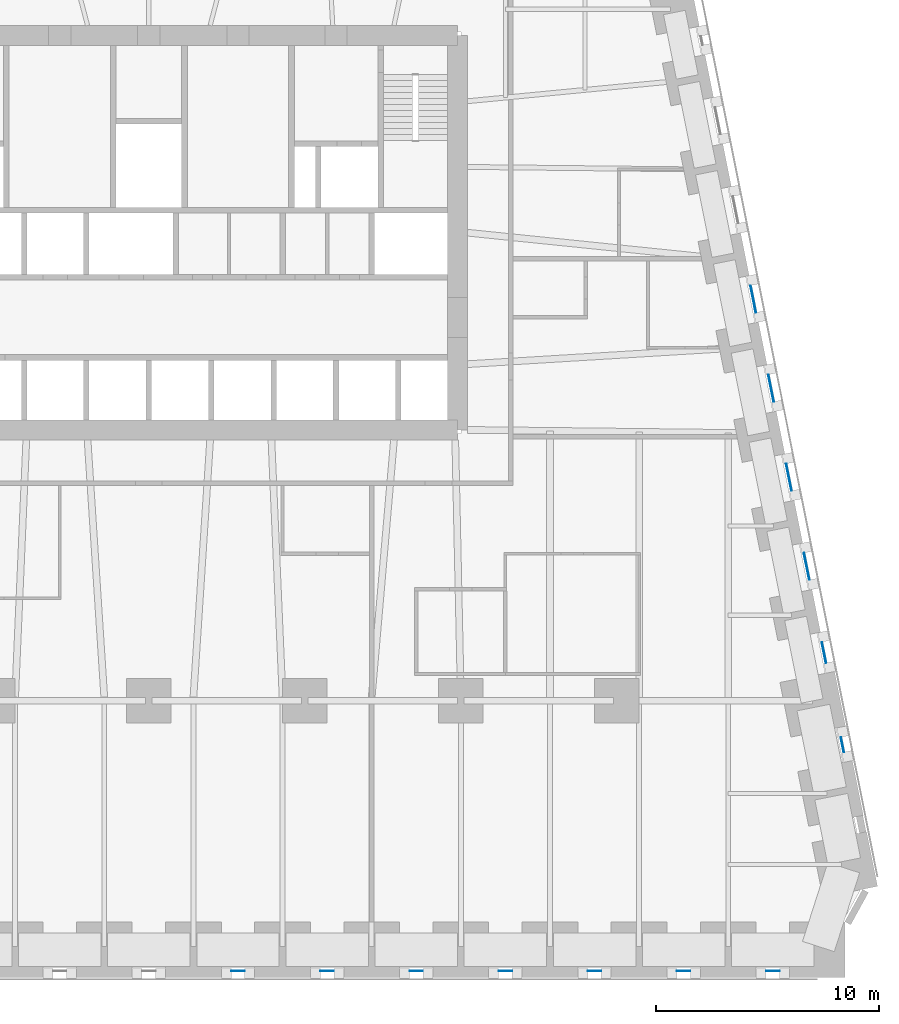
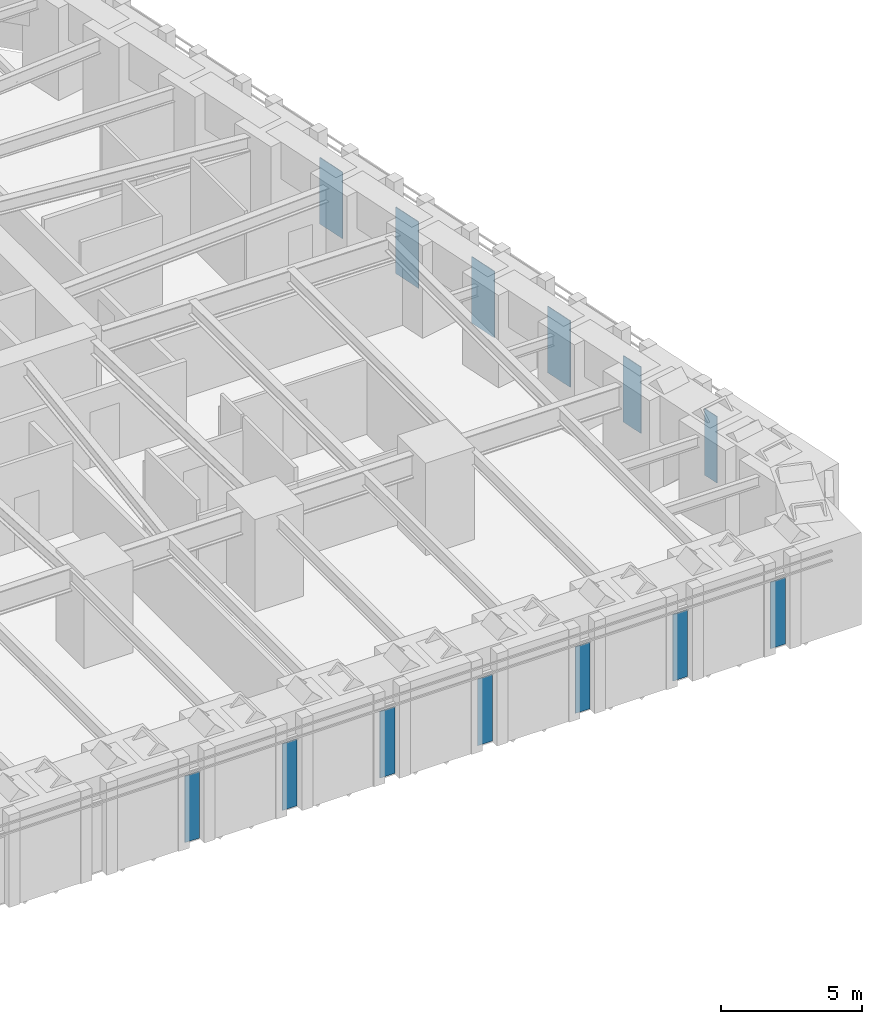
# One storey, part 9 of 16: 13 plates, 13 elements without a shape of their own.
"""IFC4 building model written with IfcOpenShell, lengths in metres."""

import ifcopenshell
import ifcopenshell.guid

model = None  # the IFC model being written
_history = None  # IfcOwnerHistory: only IFC2X3 demands one
_inside = {}  # id of a spatial element -> (the spatial element, [elements in it])
_under = {}  # id of a project, library or spatial element -> (it, [spatial elements below it])
_declared = {}  # id of a project -> (the project, [libraries it declares])
_typed = {}  # id of a type object -> (the type object, [elements of that type])
_made_of = {}  # id of a material, layer set ... -> (it, [elements and type objects made of it])


def new_model(schema):
    """Start an empty IFC model of exactly this schema.

    Asked for "IFC4X3", IfcOpenShell would pick the latest addendum, in which some entities
    have other attributes; the version numbers below select the first issue.
    IFC2X3 requires an IfcOwnerHistory on every rooted entity: one is made here for all.
    """
    global model, _history
    if schema == "IFC4X3":
        model = ifcopenshell.file(schema_version=(4, 3, 0, 0))
    else:
        model = ifcopenshell.file(schema=schema)
    _inside.clear()
    _under.clear()
    _declared.clear()
    _typed.clear()
    _made_of.clear()
    _history = None
    if model.schema == "IFC2X3":
        org = make("IfcOrganization", Name="unknown")
        user = make(
            "IfcPersonAndOrganization",
            ThePerson=make("IfcPerson", FamilyName="unknown"),
            TheOrganization=org,
        )
        app = make(
            "IfcApplication",
            ApplicationDeveloper=org,
            Version="unknown",
            ApplicationFullName="unknown",
            ApplicationIdentifier="unknown",
        )
        _history = make(
            "IfcOwnerHistory",
            OwningUser=user,
            OwningApplication=app,
            ChangeAction="ADDED",
            CreationDate=0,
        )
    return model


def make(cls, **values):
    """One entity of the class cls with the attributes given. An attribute that is None is left unset."""
    return model.create_entity(
        cls, **{name: value for name, value in values.items() if value is not None}
    )


def rooted(cls, **values):
    """An entity with a GlobalId (a new one), such as an element, a storey or a relation."""
    return make(cls, GlobalId=ifcopenshell.guid.new(), OwnerHistory=_history, **values)


def si_unit(unit_type, name, prefix=None):
    """IfcSIUnit, for example si_unit("LENGTHUNIT", "METRE", prefix="MILLI")."""
    return make("IfcSIUnit", UnitType=unit_type, Prefix=prefix, Name=name)


def assignment(units):
    """IfcUnitAssignment: the units of a project."""
    return None if units is None else make("IfcUnitAssignment", Units=units)


def point(xyz):
    """IfcCartesianPoint."""
    return None if xyz is None else make("IfcCartesianPoint", Coordinates=xyz)


def direction(xyz):
    """IfcDirection."""
    return None if xyz is None else make("IfcDirection", DirectionRatios=xyz)


def frame(location, z_axis=None, x_axis=None):
    """IfcAxis2Placement3D, a coordinate frame: its origin and axes. An axis left out is left unset."""
    return make(
        "IfcAxis2Placement3D",
        Location=point(location),
        Axis=direction(z_axis),
        RefDirection=direction(x_axis),
    )


def frame_2d(location, x_axis=None):
    """IfcAxis2Placement2D, a coordinate frame in the plane: its origin and x axis."""
    return make(
        "IfcAxis2Placement2D", Location=point(location), RefDirection=direction(x_axis)
    )


def origin():
    """The frame at (0, 0, 0) with its axes left unset."""
    return frame((0.0, 0.0, 0.0))


def origin_2d():
    """The frame at (0, 0) in the plane with its x axis left unset."""
    return frame_2d((0.0, 0.0))


def place(relative_to, where):
    """IfcLocalPlacement: puts the frame where relative to a parent placement (None: the world)."""
    return make(
        "IfcLocalPlacement", PlacementRelTo=relative_to, RelativePlacement=where
    )


def context(
    kind, dimensions, precision=None, world=None, true_north=None, identifier=None
):
    """IfcGeometricRepresentationContext, for example the 3D "Model" context."""
    return make(
        "IfcGeometricRepresentationContext",
        ContextIdentifier=identifier,
        ContextType=kind,
        CoordinateSpaceDimension=dimensions,
        Precision=precision,
        WorldCoordinateSystem=world,
        TrueNorth=true_north,
    )


def subcontext(parent, identifier, kind, view, scale=None):
    """IfcGeometricRepresentationSubContext, for example "Body" below "Model"."""
    return make(
        "IfcGeometricRepresentationSubContext",
        ContextIdentifier=identifier,
        ContextType=kind,
        ParentContext=parent,
        TargetScale=scale,
        TargetView=view,
    )


def project(units=None, contexts=None):
    """IfcProject with its units and contexts."""
    return rooted(
        "IfcProject",
        Name="project",
        RepresentationContexts=contexts,
        UnitsInContext=assignment(units),
    )


def spatial(cls, under=None, at=None, **own):
    """A site, building, storey or space (cls), placed at a placement, below another one or the project."""
    s = rooted(cls, ObjectPlacement=at, **own)
    if under is not None:
        _under.setdefault(under.id(), (under, []))[1].append(s)
    return s


def profile(cls, at=None, kind="AREA", **sizes):
    """A parametric profile (cls). Its sizes go by their IFC names, for example OverallWidth=200.0."""
    return make(cls, ProfileType=kind, Position=at, **sizes)


def rectangle(**sizes):
    """IfcRectangleProfileDef."""
    return profile("IfcRectangleProfileDef", **sizes)


def extrude(swept, where, along, depth):
    """IfcExtrudedAreaSolid: the profile swept, set in the frame where, extruded along a direction by depth."""
    return make(
        "IfcExtrudedAreaSolid",
        SweptArea=swept,
        Position=where,
        ExtrudedDirection=direction(along),
        Depth=depth,
    )


def shape(context_of_items, identifier, shape_type, items):
    """IfcShapeRepresentation: the items that make up one representation, for example the "Body"."""
    return make(
        "IfcShapeRepresentation",
        ContextOfItems=context_of_items,
        RepresentationIdentifier=identifier,
        RepresentationType=shape_type,
        Items=items,
    )


def material(Name=None, Category=None):
    """IfcMaterial."""
    return make("IfcMaterial", Name=Name, Category=Category)


def layer(
    of_material, thickness, ventilated=None, Name=None, Category=None, Priority=None
):
    """IfcMaterialLayer: one layer of a wall or slab, of a material (None: an air gap)."""
    return make(
        "IfcMaterialLayer",
        Material=of_material,
        LayerThickness=thickness,
        IsVentilated=ventilated,
        Name=Name,
        Category=Category,
        Priority=Priority,
    )


def layer_set(layers, Name=None):
    """IfcMaterialLayerSet."""
    return make("IfcMaterialLayerSet", MaterialLayers=layers, LayerSetName=Name)


def made_of(thing, what):
    """Note that an element or type object is made of a material, layer set ...; save() writes the relation."""
    if what is not None:
        _made_of.setdefault(what.id(), (what, []))[1].append(thing)
    return thing


def type_object(cls, material=None, **own):
    """A type object (cls), such as IfcWallType, which elements share."""
    return made_of(rooted(cls, **own), material)


def element(
    cls,
    number,
    at=None,
    inside=None,
    cuts=None,
    type_object=None,
    material=None,
    context=None,
    identifier="Body",
    shape_type=None,
    held_by="IfcProductDefinitionShape",
    body=None,
    shapes=None,
    **own,
):
    """One element of the class cls, such as IfcWall. Its Tag is "e" and its number.

    at: its placement. inside: the storey or other place that contains it. cuts: it is an
    opening in that element (IfcRelVoidsElement). A single representation is given by context,
    identifier, shape_type and body (its items); several are given by shapes. held_by: the class
    of the entity that holds the representations. save() writes the other relations.
    """
    e = rooted(cls, Tag="e%d" % number, ObjectPlacement=at, **own)
    if body is not None:
        shapes = [shape(context, identifier, shape_type, body)]
    if shapes is not None:
        e.Representation = make(held_by, Representations=shapes)
    if inside is not None:
        _inside.setdefault(inside.id(), (inside, []))[1].append(e)
    if cuts is not None:
        rooted(
            "IfcRelVoidsElement", RelatingBuildingElement=cuts, RelatedOpeningElement=e
        )
    if type_object is not None:
        _typed.setdefault(type_object.id(), (type_object, []))[1].append(e)
    return made_of(e, material)


def aggregate(whole, parts):
    """IfcRelAggregates: a whole, such as a stair, and the parts it consists of."""
    return rooted("IfcRelAggregates", RelatingObject=whole, RelatedObjects=parts)


def save(model, path):
    """Write the relations noted so far, then the file.

    IfcRelAggregates (storeys below a building ...), IfcRelContainedInSpatialStructure (elements
    in a storey), IfcRelDefinesByType, IfcRelAssociatesMaterial and IfcRelDeclares: one each for
    every whole, place, type object, material and project.
    """
    for whole, parts in _under.values():
        aggregate(whole, parts)
    for where, things in _inside.values():
        rooted(
            "IfcRelContainedInSpatialStructure",
            RelatedElements=things,
            RelatingStructure=where,
        )
    for kind, things in _typed.values():
        rooted("IfcRelDefinesByType", RelatedObjects=things, RelatingType=kind)
    for what, things in _made_of.values():
        rooted("IfcRelAssociatesMaterial", RelatedObjects=things, RelatingMaterial=what)
    for by, libraries in _declared.values():
        rooted("IfcRelDeclares", RelatingContext=by, RelatedDefinitions=libraries)
    model.write(path)


model = new_model("IFC4")

# Units and contexts
model_context = context("Model", 3, precision=1e-05, world=origin(), true_north=direction((0.0, 1.0)))
body_context = subcontext(model_context, "Body", "Model", "MODEL_VIEW")
ifc_project = project(units=[si_unit("LENGTHUNIT", "METRE"), si_unit("AREAUNIT", "SQUARE_METRE"), si_unit("VOLUMEUNIT", "CUBIC_METRE"), si_unit("PLANEANGLEUNIT", "RADIAN"), si_unit("MASSUNIT", "GRAM", prefix="KILO")], contexts=[model_context])

# Site, building, storey
site_placement = place(None, origin())
site = spatial("IfcSite", under=ifc_project, at=site_placement, CompositionType="ELEMENT")
building_placement = place(site_placement, origin())
building = spatial("IfcBuilding", under=site, at=building_placement, Name="Isbrekke Arena Tower", CompositionType="ELEMENT")
storey_placement = place(building_placement, frame((0.0, 0.0, 36.0)))
storey = spatial("IfcBuildingStorey", under=building, at=storey_placement, Name="L06", CompositionType="ELEMENT", Elevation=36.0)

# Curtain wall, plate
ifc_material_1 = material(Name="Glazed aluminium curtain wall", Category="aluminium")
curtain_wall_type = type_object("IfcCurtainWallType", Name="CWL TOWER CURTAIN WALL LOW ZONE", PredefinedType="USERDEFINED", material=ifc_material_1)
curtain_wall_1_placement = place(storey_placement, origin())
curtain_wall_1 = element("IfcCurtainWall", 1, at=curtain_wall_1_placement, inside=storey, type_object=curtain_wall_type, Name="CWL curtain wall L06-S17", ObjectType="TOWER CURTAIN WALL LOW ZONE", PredefinedType="USERDEFINED")
ifc_material_2 = material(Name="Triple-glazed clear glass unit", Category="glass")
ifc_layer = layer(ifc_material_2, 0.031982421875)
ifc_layer_set = layer_set([ifc_layer], Name="CWL-P VISION PANEL")
plate_type = type_object("IfcPlateType", Name="CWL-P VISION PANEL", PredefinedType="CURTAIN_PANEL", material=ifc_layer_set)
plate_1_placement = place(storey_placement, frame((4.0, -18.125, 0.02001953125), z_axis=(0.0, 0.0, 1.0), x_axis=(1.0, 0.0, 0.0)))
plate_1 = element("IfcPlate", 2, at=plate_1_placement, type_object=plate_type, Name="CWL-P panel 1", PredefinedType="CURTAIN_PANEL", context=body_context, shape_type="SweptSolid", body=[
    extrude(rectangle(XDim=0.60009765625, YDim=0.031982421875, at=origin_2d()), origin(), (0.0, 0.0, 1.0), 2.8798828125),
])
aggregate(curtain_wall_1, [plate_1])

curtain_wall_2_placement = place(storey_placement, origin())
curtain_wall_2 = element("IfcCurtainWall", 3, at=curtain_wall_2_placement, inside=storey, type_object=curtain_wall_type, Name="CWL curtain wall L06-S19", ObjectType="TOWER CURTAIN WALL LOW ZONE", PredefinedType="USERDEFINED")
plate_2_placement = place(storey_placement, frame((8.0, -18.125, 0.02001953125), z_axis=(0.0, 0.0, 1.0), x_axis=(1.0, 0.0, 0.0)))
plate_2 = element("IfcPlate", 4, at=plate_2_placement, type_object=plate_type, Name="CWL-P panel 1", PredefinedType="CURTAIN_PANEL", context=body_context, shape_type="SweptSolid", body=[
    extrude(rectangle(XDim=0.60009765625, YDim=0.031982421875, at=origin_2d()), origin(), (0.0, 0.0, 1.0), 2.8798828125),
])
aggregate(curtain_wall_2, [plate_2])

curtain_wall_3_placement = place(storey_placement, origin())
curtain_wall_3 = element("IfcCurtainWall", 5, at=curtain_wall_3_placement, inside=storey, type_object=curtain_wall_type, Name="CWL curtain wall L06-S21", ObjectType="TOWER CURTAIN WALL LOW ZONE", PredefinedType="USERDEFINED")
plate_3_placement = place(storey_placement, frame((12.0, -18.125, 0.02001953125), z_axis=(0.0, 0.0, 1.0), x_axis=(1.0, 0.0, 0.0)))
plate_3 = element("IfcPlate", 6, at=plate_3_placement, type_object=plate_type, Name="CWL-P panel 1", PredefinedType="CURTAIN_PANEL", context=body_context, shape_type="SweptSolid", body=[
    extrude(rectangle(XDim=0.60009765625, YDim=0.031982421875, at=origin_2d()), origin(), (0.0, 0.0, 1.0), 2.8798828125),
])
aggregate(curtain_wall_3, [plate_3])

curtain_wall_4_placement = place(storey_placement, origin())
curtain_wall_4 = element("IfcCurtainWall", 7, at=curtain_wall_4_placement, inside=storey, type_object=curtain_wall_type, Name="CWL curtain wall L06-S23", ObjectType="TOWER CURTAIN WALL LOW ZONE", PredefinedType="USERDEFINED")
plate_4_placement = place(storey_placement, frame((16.0, -18.125, 0.02001953125), z_axis=(0.0, 0.0, 1.0), x_axis=(1.0, 0.0, 0.0)))
plate_4 = element("IfcPlate", 8, at=plate_4_placement, type_object=plate_type, Name="CWL-P panel 1", PredefinedType="CURTAIN_PANEL", context=body_context, shape_type="SweptSolid", body=[
    extrude(rectangle(XDim=0.60009765625, YDim=0.031982421875, at=origin_2d()), origin(), (0.0, 0.0, 1.0), 2.8798828125),
])
aggregate(curtain_wall_4, [plate_4])

curtain_wall_5_placement = place(storey_placement, origin())
curtain_wall_5 = element("IfcCurtainWall", 9, at=curtain_wall_5_placement, inside=storey, type_object=curtain_wall_type, Name="CWL curtain wall L06-S25", ObjectType="TOWER CURTAIN WALL LOW ZONE", PredefinedType="USERDEFINED")
plate_5_placement = place(storey_placement, frame((20.0, -18.125, 0.02001953125), z_axis=(0.0, 0.0, 1.0), x_axis=(1.0, 0.0, 0.0)))
plate_5 = element("IfcPlate", 10, at=plate_5_placement, type_object=plate_type, Name="CWL-P panel 1", PredefinedType="CURTAIN_PANEL", context=body_context, shape_type="SweptSolid", body=[
    extrude(rectangle(XDim=0.60009765625, YDim=0.031982421875, at=origin_2d()), origin(), (0.0, 0.0, 1.0), 2.8798828125),
])
aggregate(curtain_wall_5, [plate_5])

curtain_wall_6_placement = place(storey_placement, origin())
curtain_wall_6 = element("IfcCurtainWall", 11, at=curtain_wall_6_placement, inside=storey, type_object=curtain_wall_type, Name="CWL curtain wall L06-S27", ObjectType="TOWER CURTAIN WALL LOW ZONE", PredefinedType="USERDEFINED")
plate_6_placement = place(storey_placement, frame((24.0, -18.125, 0.02001953125), z_axis=(0.0, 0.0, 1.0), x_axis=(1.0, 0.0, 0.0)))
plate_6 = element("IfcPlate", 12, at=plate_6_placement, type_object=plate_type, Name="CWL-P panel 1", PredefinedType="CURTAIN_PANEL", context=body_context, shape_type="SweptSolid", body=[
    extrude(rectangle(XDim=0.60009765625, YDim=0.031982421875, at=origin_2d()), origin(), (0.0, 0.0, 1.0), 2.8798828125),
])
aggregate(curtain_wall_6, [plate_6])

curtain_wall_7_placement = place(storey_placement, origin())
curtain_wall_7 = element("IfcCurtainWall", 13, at=curtain_wall_7_placement, inside=storey, type_object=curtain_wall_type, Name="CWL curtain wall L06-S29", ObjectType="TOWER CURTAIN WALL LOW ZONE", PredefinedType="USERDEFINED")
plate_7_placement = place(storey_placement, frame((28.0009765625, -18.125, 0.02001953125), z_axis=(0.0, 0.0, 1.0), x_axis=(1.0, 0.0, 0.0)))
plate_7 = element("IfcPlate", 14, at=plate_7_placement, type_object=plate_type, Name="CWL-P panel 1", PredefinedType="CURTAIN_PANEL", context=body_context, shape_type="SweptSolid", body=[
    extrude(rectangle(XDim=0.60205078125, YDim=0.031982421875, at=origin_2d()), origin(), (0.0, 0.0, 1.0), 2.8798828125),
])
aggregate(curtain_wall_7, [plate_7])

curtain_wall_8_placement = place(storey_placement, origin())
curtain_wall_8 = element("IfcCurtainWall", 15, at=curtain_wall_8_placement, inside=storey, type_object=curtain_wall_type, Name="CWL curtain wall L06-E3", ObjectType="TOWER CURTAIN WALL LOW ZONE", PredefinedType="USERDEFINED")
plate_8_placement = place(storey_placement, frame((31.12255859375, -7.9755859375, 0.02001953125), z_axis=(0.0, 0.0, 1.0), x_axis=(-0.196116135138, 0.980580675691, 0.0)))
plate_8 = element("IfcPlate", 16, at=plate_8_placement, type_object=plate_type, Name="CWL-P panel 1", PredefinedType="CURTAIN_PANEL", context=body_context, shape_type="SweptSolid", body=[
    extrude(rectangle(XDim=0.67919921875, YDim=0.031982421875, at=origin_2d()), origin(), (0.0, 0.0, 1.0), 2.8798828125),
])
aggregate(curtain_wall_8, [plate_8])

curtain_wall_9_placement = place(storey_placement, origin())
curtain_wall_9 = element("IfcCurtainWall", 17, at=curtain_wall_9_placement, inside=storey, type_object=curtain_wall_type, Name="CWL curtain wall L06-E5", ObjectType="TOWER CURTAIN WALL LOW ZONE", PredefinedType="USERDEFINED")
plate_9_placement = place(storey_placement, frame((30.295654296875, -3.840576171875, 0.02001953125), z_axis=(0.0, 0.0, 1.0), x_axis=(-0.196116135138, 0.980580675691, 0.0)))
plate_9 = element("IfcPlate", 18, at=plate_9_placement, type_object=plate_type, Name="CWL-P panel 1", PredefinedType="CURTAIN_PANEL", context=body_context, shape_type="SweptSolid", body=[
    extrude(rectangle(XDim=0.9541015625, YDim=0.031982421875, at=origin_2d()), origin(), (0.0, 0.0, 1.0), 2.8798828125),
])
aggregate(curtain_wall_9, [plate_9])

curtain_wall_10_placement = place(storey_placement, origin())
curtain_wall_10 = element("IfcCurtainWall", 19, at=curtain_wall_10_placement, inside=storey, type_object=curtain_wall_type, Name="CWL curtain wall L06-E7", ObjectType="TOWER CURTAIN WALL LOW ZONE", PredefinedType="USERDEFINED")
plate_10_placement = place(storey_placement, frame((29.5224609375, 0.0244140625, 0.02001953125), z_axis=(0.0, 0.0, 1.0), x_axis=(-0.196116135138, 0.980580675691, 0.0)))
plate_10 = element("IfcPlate", 20, at=plate_10_placement, type_object=plate_type, Name="CWL-P panel 1", PredefinedType="CURTAIN_PANEL", context=body_context, shape_type="SweptSolid", body=[
    extrude(rectangle(XDim=1.229248046875, YDim=0.031982421875, at=origin_2d()), origin(), (0.0, 0.0, 1.0), 2.8798828125),
])
aggregate(curtain_wall_10, [plate_10])

curtain_wall_11_placement = place(storey_placement, origin())
curtain_wall_11 = element("IfcCurtainWall", 21, at=curtain_wall_11_placement, inside=storey, type_object=curtain_wall_type, Name="CWL curtain wall L06-E9", ObjectType="TOWER CURTAIN WALL LOW ZONE", PredefinedType="USERDEFINED")
plate_11_placement = place(storey_placement, frame((28.72265625, 4.0244140625, 0.02001953125), z_axis=(0.0, 0.0, 1.0), x_axis=(-0.196116135138, 0.980580675691, 0.0)))
plate_11 = element("IfcPlate", 22, at=plate_11_placement, type_object=plate_type, Name="CWL-P panel 1", PredefinedType="CURTAIN_PANEL", context=body_context, shape_type="SweptSolid", body=[
    extrude(rectangle(XDim=1.229248046875, YDim=0.031982421875, at=origin_2d()), origin(), (0.0, 0.0, 1.0), 2.8798828125),
])
aggregate(curtain_wall_11, [plate_11])

curtain_wall_12_placement = place(storey_placement, origin())
curtain_wall_12 = element("IfcCurtainWall", 23, at=curtain_wall_12_placement, inside=storey, type_object=curtain_wall_type, Name="CWL curtain wall L06-E11", ObjectType="TOWER CURTAIN WALL LOW ZONE", PredefinedType="USERDEFINED")
plate_12_placement = place(storey_placement, frame((27.922607421875, 8.0244140625, 0.02001953125), z_axis=(0.0, 0.0, 1.0), x_axis=(-0.196116135138, 0.980580675691, 0.0)))
plate_12 = element("IfcPlate", 24, at=plate_12_placement, type_object=plate_type, Name="CWL-P panel 1", PredefinedType="CURTAIN_PANEL", context=body_context, shape_type="SweptSolid", body=[
    extrude(rectangle(XDim=1.229248046875, YDim=0.031982421875, at=origin_2d()), origin(), (0.0, 0.0, 1.0), 2.8798828125),
])
aggregate(curtain_wall_12, [plate_12])

curtain_wall_13_placement = place(storey_placement, origin())
curtain_wall_13 = element("IfcCurtainWall", 25, at=curtain_wall_13_placement, inside=storey, type_object=curtain_wall_type, Name="CWL curtain wall L06-E13", ObjectType="TOWER CURTAIN WALL LOW ZONE", PredefinedType="USERDEFINED")
plate_13_placement = place(storey_placement, frame((27.12255859375, 12.0244140625, 0.02001953125), z_axis=(0.0, 0.0, 1.0), x_axis=(-0.196116135138, 0.980580675691, 0.0)))
plate_13 = element("IfcPlate", 26, at=plate_13_placement, type_object=plate_type, Name="CWL-P panel 1", PredefinedType="CURTAIN_PANEL", context=body_context, shape_type="SweptSolid", body=[
    extrude(rectangle(XDim=1.229248046875, YDim=0.031982421875, at=origin_2d()), origin(), (0.0, 0.0, 1.0), 2.8798828125),
])
aggregate(curtain_wall_13, [plate_13])

save(model, "model.ifc")
